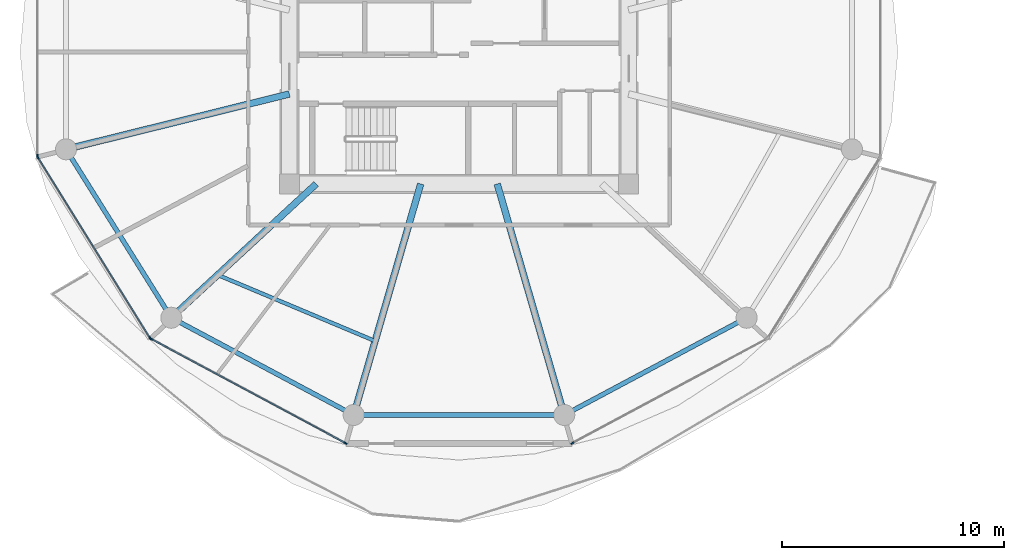
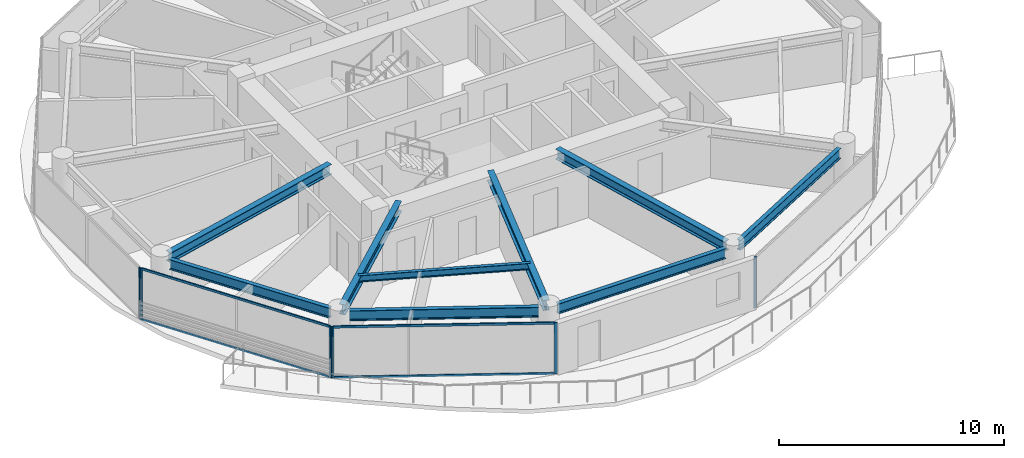
# One storey, part 2 of 26: 10 members, 9 beams, 4 elements without a shape of their own.
"""IFC4 building model written with IfcOpenShell, lengths in metres."""

from ifc_helpers import new_model, si_unit, direction, frame, origin, origin_2d, place, context, subcontext, project, spatial, rectangle, i_section, extrude, source, transform, mapped, material, layer, layer_set, material_profile, profile_set, type_object, type_shapes, element, aggregate, save


model = new_model("IFC4")

# Units and contexts
model_context = context("Model", 3, precision=1e-05, world=origin(), true_north=direction((0.0, 1.0)))
body_context = subcontext(model_context, "Body", "Model", "MODEL_VIEW")
ifc_project = project(units=[si_unit("LENGTHUNIT", "METRE"), si_unit("AREAUNIT", "SQUARE_METRE"), si_unit("VOLUMEUNIT", "CUBIC_METRE"), si_unit("PLANEANGLEUNIT", "RADIAN"), si_unit("MASSUNIT", "GRAM", prefix="KILO")], contexts=[model_context])

# Site, building, storey
site_placement = place(None, origin())
site = spatial("IfcSite", under=ifc_project, at=site_placement, CompositionType="ELEMENT")
building_placement = place(site_placement, origin())
building = spatial("IfcBuilding", under=site, at=building_placement, Name="Norrkilde Senior Care Towers", CompositionType="ELEMENT")
storey_placement = place(building_placement, frame((0.0, 0.0, 49.050048828125)))
storey = spatial("IfcBuildingStorey", under=building, at=storey_placement, Name="L14", CompositionType="ELEMENT", Elevation=49.050048828125)

# Beams
ifc_material_1 = material(Name="Steel S355", Category="steel")
ifc_material_profile_1 = material_profile(ifc_material_1, i_section(OverallWidth=0.2099609375, OverallDepth=0.550048828125, WebThickness=0.010986328125, FlangeThickness=0.01708984375, FilletRadius=0.02392578125, at=origin_2d()), Name="IPE 550")
ifc_profile_set_1 = profile_set([ifc_material_profile_1], Name="Steel S355")
beam_type_1 = type_object("IfcBeamType", Name="Perimeter Ring Spandrel Z1 IPE550", PredefinedType="SPANDREL", material=ifc_profile_set_1)
shared_shape_1 = source(origin(), body_context, "Body", "SweptSolid", [
    extrude(i_section(OverallWidth=0.2099609375, OverallDepth=0.550048828125, WebThickness=0.010986328125, FlangeThickness=0.01708984375, FilletRadius=0.02392578125, at=origin_2d()), origin(), (0.0, 0.0, 1.0), 8.090576171875),
])
beam_1_placement = place(storey_placement, frame((-45.494140625, -4.755859375, 2.514892578125), z_axis=(0.530004364821, -0.84799491347, 0.0), x_axis=(0.84799491347, 0.530004364821, 0.0)))
element("IfcBeam", 1, at=beam_1_placement, inside=storey, type_object=beam_type_1, Name="L14 Drum W Perimeter Spandrel 07", PredefinedType="SPANDREL", context=body_context, shape_type="MappedRepresentation", body=[
    mapped(shared_shape_1, transform((0.0, 0.0, 0.0), x_axis=(1.0, 0.0, 0.0), y_axis=(0.0, 1.0, 0.0), z_axis=(0.0, 0.0, 1.0), scale=1.0)),
])
ifc_material_profile_2 = material_profile(ifc_material_1, i_section(OverallWidth=0.300048828125, OverallDepth=0.550048828125, WebThickness=0.014892578125, FlangeThickness=0.029052734375, FilletRadius=0.027099609375, at=origin_2d()), Name="HEB 550")
ifc_profile_set_2 = profile_set([ifc_material_profile_2], Name="Steel S355")
beam_type_2 = type_object("IfcBeamType", Name="Radial Floor Beam Z1 HEB550", PredefinedType="BEAM", material=ifc_profile_set_2)
shared_shape_2 = source(origin(), body_context, "Body", "SweptSolid", [
    extrude(i_section(OverallWidth=0.300048828125, OverallDepth=0.550048828125, WebThickness=0.014892578125, FlangeThickness=0.029052734375, FilletRadius=0.027099609375, at=origin_2d()), origin(), (0.0, 0.0, 1.0), 9.94384765625),
])
beam_2_placement = place(storey_placement, frame((-35.64990234375, -1.893310546875, 2.514892578125), z_axis=(-0.970707425182, -0.240264634718, 0.0), x_axis=(0.240264634718, -0.970707425182, 0.0)))
element("IfcBeam", 2, at=beam_2_placement, inside=storey, type_object=beam_type_2, Name="L14 Drum W Radial Floor Beam 07", PredefinedType="BEAM", context=body_context, shape_type="MappedRepresentation", body=[
    mapped(shared_shape_2, transform((0.0, 0.0, 0.0), x_axis=(1.0, 0.0, 0.0), y_axis=(0.0, 1.0, 0.0), z_axis=(0.0, 0.0, 1.0), scale=1.0)),
])
shared_shape_3 = source(origin(), body_context, "Body", "SweptSolid", [
    extrude(i_section(OverallWidth=0.2099609375, OverallDepth=0.550048828125, WebThickness=0.010986328125, FlangeThickness=0.01708984375, FilletRadius=0.02392578125, at=origin_2d()), origin(), (0.0, 0.0, 1.0), 8.452880859375),
])
for number, where, z_axis, x_axis, name in (
    (3, (-40.591552734375, -12.190185546875, 2.514892578125), (0.882368931134, -0.470558252898, 0.0), (0.470558252898, 0.882368931134, 0.0), "L14 Drum W Perimeter Spandrel 08"),
    (4, (-22.866943359375, -16.167724609375, 2.514892578125), (0.882368931134, 0.470558252898, 0.0), (-0.470558252898, 0.882368931134, 0.0), "L14 Drum W Perimeter Spandrel 10"),
):
    element("IfcBeam", number, at=place(storey_placement, frame(where, z_axis=z_axis, x_axis=x_axis)), inside=storey, type_object=beam_type_1, Name=name, PredefinedType="SPANDREL", context=body_context, shape_type="MappedRepresentation", body=[
        mapped(shared_shape_3, transform((0.0, 0.0, 0.0), x_axis=(1.0, 0.0, 0.0), y_axis=(0.0, 1.0, 0.0), z_axis=(0.0, 0.0, 1.0), scale=1.0)),
    ])
shared_shape_4 = source(origin(), body_context, "Body", "SweptSolid", [
    extrude(i_section(OverallWidth=0.300048828125, OverallDepth=0.550048828125, WebThickness=0.014892578125, FlangeThickness=0.029052734375, FilletRadius=0.027099609375, at=origin_2d()), origin(), (0.0, 0.0, 1.0), 8.459716796875),
])
beam_3_placement = place(storey_placement, frame((-34.44140625, -5.949951171875, 2.514892578125), z_axis=(-0.734573269108, -0.678529374686, 0.0), x_axis=(0.678529374686, -0.734573269108, 0.0)))
element("IfcBeam", 5, at=beam_3_placement, inside=storey, type_object=beam_type_2, Name="L14 Drum W Radial Floor Beam 08", PredefinedType="BEAM", context=body_context, shape_type="MappedRepresentation", body=[
    mapped(shared_shape_4, transform((0.0, 0.0, 0.0), x_axis=(1.0, 0.0, 0.0), y_axis=(0.0, 1.0, 0.0), z_axis=(0.0, 0.0, 1.0), scale=1.0)),
])
shared_shape_5 = source(origin(), body_context, "Body", "SweptSolid", [
    extrude(i_section(OverallWidth=0.2099609375, OverallDepth=0.550048828125, WebThickness=0.010986328125, FlangeThickness=0.01708984375, FilletRadius=0.02392578125, at=origin_2d()), origin(), (0.0, 0.0, 1.0), 8.62841796875),
])
type_shapes(beam_type_1, [shared_shape_1, shared_shape_3, shared_shape_5])
beam_4_placement = place(storey_placement, frame((-32.314208984375, -16.37255859375, 2.514892578125), z_axis=(1.0, 0.0, 0.0), x_axis=(0.0, 1.0, 0.0)))
element("IfcBeam", 6, at=beam_4_placement, inside=storey, type_object=beam_type_1, Name="L14 Drum W Perimeter Spandrel 09", PredefinedType="SPANDREL", context=body_context, shape_type="MappedRepresentation", body=[
    mapped(shared_shape_5, transform((0.0, 0.0, 0.0), x_axis=(1.0, 0.0, 0.0), y_axis=(0.0, 1.0, 0.0), z_axis=(0.0, 0.0, 1.0), scale=1.0)),
])
shared_shape_6 = source(origin(), body_context, "Body", "SweptSolid", [
    extrude(i_section(OverallWidth=0.300048828125, OverallDepth=0.550048828125, WebThickness=0.014892578125, FlangeThickness=0.029052734375, FilletRadius=0.027099609375, at=origin_2d()), origin(), (0.0, 0.0, 1.0), 10.4169921875),
])
type_shapes(beam_type_2, [shared_shape_2, shared_shape_4, shared_shape_6])
for number, where, z_axis, x_axis, name in (
    (7, (-29.72607421875, -5.949951171875, 2.514892578125), (-0.278591250785, -0.960409764104, 0.0), (0.960409764104, -0.278591250785, 0.0), "L14 Drum W Radial Floor Beam 09"),
    (8, (-26.27392578125, -5.949951171875, 2.514892578125), (0.278591250785, -0.960409764104, 0.0), (0.960409764104, 0.278591250785, 0.0), "L14 Drum W Radial Floor Beam 10"),
):
    element("IfcBeam", number, at=place(storey_placement, frame(where, z_axis=z_axis, x_axis=x_axis)), inside=storey, type_object=beam_type_2, Name=name, PredefinedType="BEAM", context=body_context, shape_type="MappedRepresentation", body=[
        mapped(shared_shape_6, transform((0.0, 0.0, 0.0), x_axis=(1.0, 0.0, 0.0), y_axis=(0.0, 1.0, 0.0), z_axis=(0.0, 0.0, 1.0), scale=1.0)),
    ])
ifc_material_profile_3 = material_profile(ifc_material_1, i_section(OverallWidth=0.169921875, OverallDepth=0.360107421875, WebThickness=0.008056640625, FlangeThickness=0.0126953125, FilletRadius=0.01806640625, at=origin_2d()), Name="IPE 360")
ifc_profile_set_3 = profile_set([ifc_material_profile_3], Name="Steel S355")
beam_type_3 = type_object("IfcBeamType", Name="Secondary Floor Joist IPE360", PredefinedType="JOIST", material=ifc_profile_set_3)
shared_shape_7 = source(origin(), body_context, "Body", "SweptSolid", [
    extrude(i_section(OverallWidth=0.169921875, OverallDepth=0.360107421875, WebThickness=0.008056640625, FlangeThickness=0.0126953125, FilletRadius=0.01806640625, at=origin_2d()), origin(), (0.0, 0.0, 1.0), 7.703857421875),
])
type_shapes(beam_type_3, [shared_shape_7])
beam_5_placement = place(storey_placement, frame((-38.884521484375, -10.05419921875, 2.60986328125), z_axis=(0.921982784465, -0.387230868023, 0.0), x_axis=(0.387230868023, 0.921982784465, 0.0)))
element("IfcBeam", 9, at=beam_5_placement, inside=storey, type_object=beam_type_3, Name="L14 Drum W Secondary Floor Joist 3", PredefinedType="JOIST", context=body_context, shape_type="MappedRepresentation", body=[
    mapped(shared_shape_7, transform((0.0, 0.0, 0.0), x_axis=(1.0, 0.0, 0.0), y_axis=(0.0, 1.0, 0.0), z_axis=(0.0, 0.0, 1.0), scale=1.0)),
])

# Curtain wall, member
ifc_material_2 = material(Name="Triple Low-E Insulated Glazing", Category="glass")
ifc_layer = layer(ifc_material_2, 0.199951171875)
ifc_layer_set = layer_set([ifc_layer], Name="Triple Low-E Insulated Glazing")
curtain_wall_type = type_object("IfcCurtainWallType", Name="CW2 Zone 1 Memory Care Curtain Wall", PredefinedType="NOTDEFINED", material=ifc_layer_set)
curtain_wall_1_placement = place(storey_placement, origin())
curtain_wall_1 = element("IfcCurtainWall", 10, at=curtain_wall_1_placement, inside=storey, type_object=curtain_wall_type, Name="L14 Drum W Curtain Wall 05", PredefinedType="NOTDEFINED")
ifc_material_3 = material(Name="Anodised Aluminium", Category="aluminium")
ifc_material_profile_4 = material_profile(ifc_material_3, rectangle(XDim=0.06494140625, YDim=0.159912109375, at=origin_2d()), Name="ALU MULL 65x160")
ifc_profile_set_4 = profile_set([ifc_material_profile_4], Name="Anodised Aluminium")
member_type_1 = type_object("IfcMemberType", Name="Curtain Wall Mullion Z1-Z2 65x160", PredefinedType="MULLION", material=ifc_profile_set_4)
shared_shape_8 = source(origin(), body_context, "Body", "SweptSolid", [
    extrude(rectangle(XDim=0.06494140625, YDim=0.159912109375, at=origin_2d()), origin(), (0.0, 0.0, 1.0), 2.7900390625),
])
type_shapes(member_type_1, [shared_shape_8])
member_1_placement = place(storey_placement, frame((-47.009521484375, -4.69873046875, 0.0), z_axis=(0.0, 0.0, 1.0), x_axis=(-1.0, 0.0, 0.0)))
member_1 = element("IfcMember", 11, at=member_1_placement, type_object=member_type_1, Name="CW-2 mullion 1", PredefinedType="MULLION", context=body_context, shape_type="MappedRepresentation", body=[
    mapped(shared_shape_8, transform((0.0, 0.0, 0.0), x_axis=(1.0, 0.0, 0.0), y_axis=(0.0, 1.0, 0.0), z_axis=(0.0, 0.0, 1.0), scale=1.0)),
])
aggregate(curtain_wall_1, [member_1])

# Curtain wall, members
curtain_wall_2_placement = place(storey_placement, origin())
curtain_wall_2 = element("IfcCurtainWall", 12, at=curtain_wall_2_placement, inside=storey, type_object=curtain_wall_type, Name="L14 Drum W Curtain Wall 06", PredefinedType="NOTDEFINED")
member_2_placement = place(storey_placement, frame((-41.93310546875, -12.898193359375, 0.0), z_axis=(0.0, 0.0, 1.0), x_axis=(-0.849305943117, -0.527900951871, 0.0)))
member_2 = element("IfcMember", 13, at=member_2_placement, type_object=member_type_1, Name="CW-2 mullion 1", PredefinedType="MULLION", context=body_context, shape_type="MappedRepresentation", body=[
    mapped(shared_shape_8, transform((0.0, 0.0, 0.0), x_axis=(1.0, 0.0, 0.0), y_axis=(0.0, 1.0, 0.0), z_axis=(0.0, 0.0, 1.0), scale=1.0)),
])
member_3_placement = place(storey_placement, frame((-46.9921875, -4.7587890625, 0.0), z_axis=(0.0, 0.0, 1.0), x_axis=(-0.849305943117, -0.527900951871, 0.0)))
member_3 = element("IfcMember", 14, at=member_3_placement, type_object=member_type_1, Name="CW-2 mullion 2", PredefinedType="MULLION", context=body_context, shape_type="MappedRepresentation", body=[
    mapped(shared_shape_8, transform((0.0, 0.0, 0.0), x_axis=(1.0, 0.0, 0.0), y_axis=(0.0, 1.0, 0.0), z_axis=(0.0, 0.0, 1.0), scale=1.0)),
])

curtain_wall_3_placement = place(storey_placement, origin())
curtain_wall_3 = element("IfcCurtainWall", 15, at=curtain_wall_3_placement, inside=storey, type_object=curtain_wall_type, Name="L14 Drum W Curtain Wall 07", PredefinedType="NOTDEFINED")
member_4_placement = place(storey_placement, frame((-33.122314453125, -17.641845703125, 0.0), z_axis=(0.0, 0.0, 1.0), x_axis=(-0.472607802456, -0.881272866403, 0.0)))
member_4 = element("IfcMember", 16, at=member_4_placement, type_object=member_type_1, Name="CW-2 mullion 1", PredefinedType="MULLION", context=body_context, shape_type="MappedRepresentation", body=[
    mapped(shared_shape_8, transform((0.0, 0.0, 0.0), x_axis=(1.0, 0.0, 0.0), y_axis=(0.0, 1.0, 0.0), z_axis=(0.0, 0.0, 1.0), scale=1.0)),
])
member_5_placement = place(storey_placement, frame((-41.88720703125, -12.941162109375, 0.0), z_axis=(0.0, 0.0, 1.0), x_axis=(-0.472607802456, -0.881272866403, 0.0)))
member_5 = element("IfcMember", 17, at=member_5_placement, type_object=member_type_1, Name="CW-2 mullion 2", PredefinedType="MULLION", context=body_context, shape_type="MappedRepresentation", body=[
    mapped(shared_shape_8, transform((0.0, 0.0, 0.0), x_axis=(1.0, 0.0, 0.0), y_axis=(0.0, 1.0, 0.0), z_axis=(0.0, 0.0, 1.0), scale=1.0)),
])

# Curtain wall, member
curtain_wall_4_placement = place(storey_placement, origin())
curtain_wall_4 = element("IfcCurtainWall", 18, at=curtain_wall_4_placement, inside=storey, type_object=curtain_wall_type, Name="L14 Drum W Curtain Wall 09", PredefinedType="NOTDEFINED")
member_6_placement = place(storey_placement, frame((-22.877685546875, -17.641845703125, 0.0), z_axis=(0.0, 0.0, 1.0), x_axis=(0.472607802456, -0.881272866403, 0.0)))
member_6 = element("IfcMember", 19, at=member_6_placement, type_object=member_type_1, Name="CW-2 mullion 2", PredefinedType="MULLION", context=body_context, shape_type="MappedRepresentation", body=[
    mapped(shared_shape_8, transform((0.0, 0.0, 0.0), x_axis=(1.0, 0.0, 0.0), y_axis=(0.0, 1.0, 0.0), z_axis=(0.0, 0.0, 1.0), scale=1.0)),
])
aggregate(curtain_wall_4, [member_6])

# Member
ifc_material_profile_5 = material_profile(ifc_material_3, rectangle(XDim=0.06005859375, YDim=0.1201171875, at=origin_2d()), Name="ALU TRAN 60x120")
ifc_profile_set_5 = profile_set([ifc_material_profile_5], Name="Anodised Aluminium")
member_type_2 = type_object("IfcMemberType", Name="Curtain Wall Transom Typical 60x120", PredefinedType="USERDEFINED", material=ifc_profile_set_5)
shared_shape_9 = source(origin(), body_context, "Body", "SweptSolid", [
    extrude(rectangle(XDim=0.06005859375, YDim=0.1201171875, at=origin_2d()), origin(), (0.0, 0.0, 1.0), 9.5185546875),
])
member_7_placement = place(storey_placement, frame((-41.9501953125, -12.87060546875, 0.030029296875), z_axis=(-0.527901620669, 0.849305527413, 0.0), x_axis=(-0.849305527413, -0.527901620669, 0.0)))
member_7 = element("IfcMember", 20, at=member_7_placement, type_object=member_type_2, Name="CW-2 transom 1.1", ObjectType="TRANSOM", PredefinedType="USERDEFINED", context=body_context, shape_type="MappedRepresentation", body=[
    mapped(shared_shape_9, transform((0.0, 0.0, 0.0), x_axis=(1.0, 0.0, 0.0), y_axis=(0.0, 1.0, 0.0), z_axis=(0.0, 0.0, 1.0), scale=1.0)),
])

member_8_placement = place(storey_placement, frame((-41.9501953125, -12.87060546875, 2.760009765625), z_axis=(-0.527901620669, 0.849305527413, 0.0), x_axis=(-0.849305527413, -0.527901620669, 0.0)))
member_8 = element("IfcMember", 21, at=member_8_placement, type_object=member_type_2, Name="CW-2 transom 1.2", ObjectType="TRANSOM", PredefinedType="USERDEFINED", context=body_context, shape_type="MappedRepresentation", body=[
    mapped(shared_shape_9, transform((0.0, 0.0, 0.0), x_axis=(1.0, 0.0, 0.0), y_axis=(0.0, 1.0, 0.0), z_axis=(0.0, 0.0, 1.0), scale=1.0)),
])

aggregate(curtain_wall_2, [member_2, member_3, member_7, member_8])

shared_shape_10 = source(origin(), body_context, "Body", "SweptSolid", [
    extrude(rectangle(XDim=0.06005859375, YDim=0.1201171875, at=origin_2d()), origin(), (0.0, 0.0, 1.0), 9.880859375),
])
type_shapes(member_type_2, [shared_shape_9, shared_shape_10])
member_9_placement = place(storey_placement, frame((-33.15087890625, -17.62646484375, 0.030029296875), z_axis=(-0.881267204043, 0.47261836092, 0.0), x_axis=(-0.47261836092, -0.881267204043, 0.0)))
member_9 = element("IfcMember", 22, at=member_9_placement, type_object=member_type_2, Name="CW-2 transom 1.1", ObjectType="TRANSOM", PredefinedType="USERDEFINED", context=body_context, shape_type="MappedRepresentation", body=[
    mapped(shared_shape_10, transform((0.0, 0.0, 0.0), x_axis=(1.0, 0.0, 0.0), y_axis=(0.0, 1.0, 0.0), z_axis=(0.0, 0.0, 1.0), scale=1.0)),
])

member_10_placement = place(storey_placement, frame((-33.15087890625, -17.62646484375, 2.760009765625), z_axis=(-0.881267204043, 0.47261836092, 0.0), x_axis=(-0.47261836092, -0.881267204043, 0.0)))
member_10 = element("IfcMember", 23, at=member_10_placement, type_object=member_type_2, Name="CW-2 transom 1.2", ObjectType="TRANSOM", PredefinedType="USERDEFINED", context=body_context, shape_type="MappedRepresentation", body=[
    mapped(shared_shape_10, transform((0.0, 0.0, 0.0), x_axis=(1.0, 0.0, 0.0), y_axis=(0.0, 1.0, 0.0), z_axis=(0.0, 0.0, 1.0), scale=1.0)),
])

aggregate(curtain_wall_3, [member_4, member_5, member_9, member_10])

save(model, "model.ifc")
